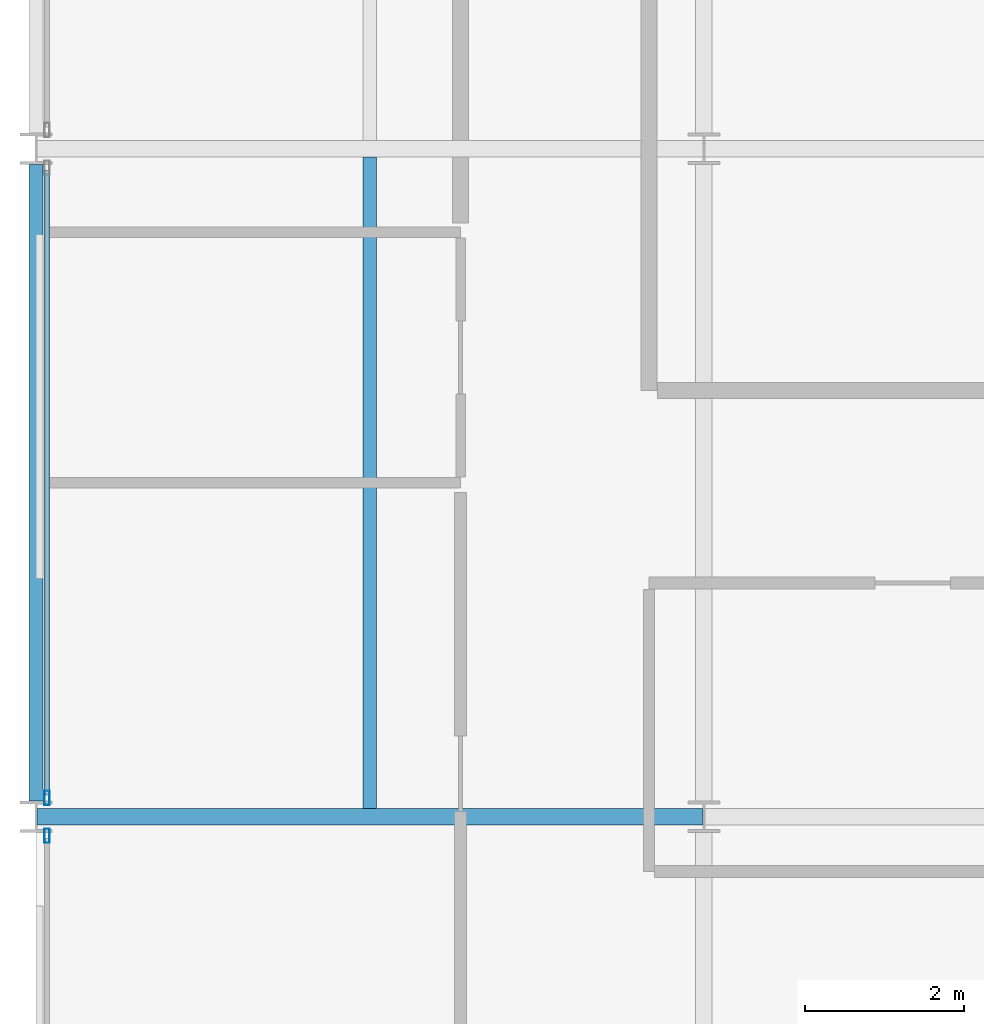
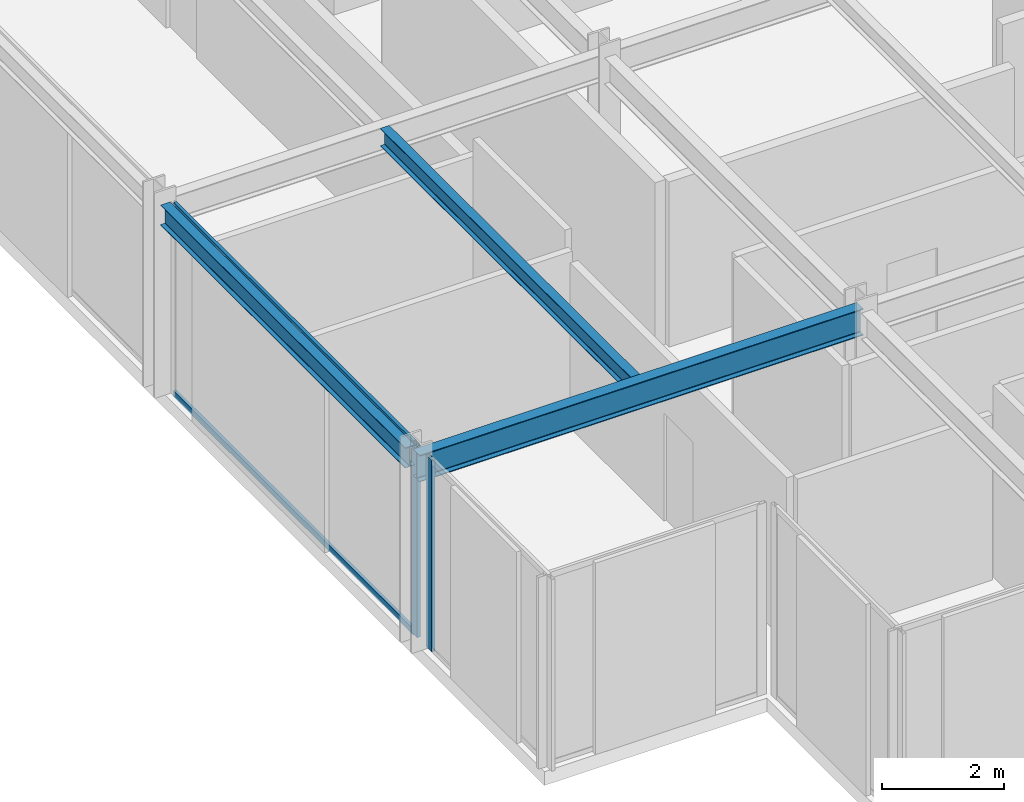
# One storey, part 6 of 38: 4 members, 3 beams, 2 elements without a shape of their own.
"""IFC4 building model written with IfcOpenShell, lengths in metres."""

from ifc_helpers import new_model, si_unit, direction, frame, origin, origin_2d, place, context, subcontext, project, spatial, hollow_rectangle, i_section, extrude, material, layer, layer_set, material_profile, profile_set, type_object, element, aggregate, save


model = new_model("IFC4")

# Units and contexts
model_context = context("Model", 3, precision=1e-05, world=origin(), true_north=direction((0.0, 1.0)))
body_context = subcontext(model_context, "Body", "Model", "MODEL_VIEW")
ifc_project = project(units=[si_unit("LENGTHUNIT", "METRE"), si_unit("AREAUNIT", "SQUARE_METRE"), si_unit("VOLUMEUNIT", "CUBIC_METRE"), si_unit("PLANEANGLEUNIT", "RADIAN"), si_unit("MASSUNIT", "GRAM", prefix="KILO")], contexts=[model_context])

# Site, building, storey
site_placement = place(None, origin())
site = spatial("IfcSite", under=ifc_project, at=site_placement, CompositionType="ELEMENT")
building_placement = place(site_placement, origin())
building = spatial("IfcBuilding", under=site, at=building_placement, Name="Nerrivon Quay Data Exchange", CompositionType="ELEMENT")
storey_placement = place(building_placement, frame((0.0, 0.0, 100.800048828125)))
storey = spatial("IfcBuildingStorey", under=building, at=storey_placement, Name="L23", CompositionType="ELEMENT", Elevation=100.800048828125)

# Beams
ifc_material_1 = material(Name="Steel Grade 350", Category="steel")
ifc_material_profile_1 = material_profile(ifc_material_1, i_section(OverallWidth=0.208984375, OverallDepth=0.532958984375, WebThickness=0.01025390625, FlangeThickness=0.015625, FilletRadius=0.013916015625, at=origin_2d()), Name="530UB92.4")
ifc_profile_set_1 = profile_set([ifc_material_profile_1], Name="Steel Grade 350")
beam_type_1 = type_object("IfcBeamType", Name="BM-G3-530UB92", PredefinedType="BEAM", material=ifc_profile_set_1)
beam_1_placement = place(storey_placement, frame((0.012451171875, 8.39990234375, 3.558349609375), z_axis=(1.0, 0.0, 0.0), x_axis=(0.0, 1.0, 0.0)))
element("IfcBeam", 1, at=beam_1_placement, inside=storey, type_object=beam_type_1, Name="L23 EW Girder Y=8.4 (0.0..8.4)", PredefinedType="BEAM", context=body_context, shape_type="SweptSolid", body=[
    extrude(i_section(OverallWidth=0.208984375, OverallDepth=0.532958984375, WebThickness=0.01025390625, FlangeThickness=0.015625, FilletRadius=0.013916015625, at=origin_2d()), origin(), (0.0, 0.0, 1.0), 8.375),
])
ifc_material_profile_2 = material_profile(ifc_material_1, i_section(OverallWidth=0.1708984375, OverallDepth=0.35595703125, WebThickness=0.00732421875, FlangeThickness=0.011474609375, FilletRadius=0.011474609375, at=origin_2d()), Name="360UB50.7")
ifc_profile_set_2 = profile_set([ifc_material_profile_2], Name="Steel Grade 350")
beam_type_2 = type_object("IfcBeamType", Name="BM-J4-360UB51", PredefinedType="JOIST", material=ifc_profile_set_2)
beam_2_placement = place(storey_placement, frame((4.199951171875, 8.50439453125, 3.64697265625), z_axis=(0.0, 1.0, 0.0), x_axis=(-1.0, 0.0, 0.0)))
element("IfcBeam", 2, at=beam_2_placement, inside=storey, type_object=beam_type_2, Name="L23 Secondary Joist X=4.2 (8.4..16.8)", PredefinedType="JOIST", context=body_context, shape_type="SweptSolid", body=[
    extrude(i_section(OverallWidth=0.1708984375, OverallDepth=0.35595703125, WebThickness=0.00732421875, FlangeThickness=0.011474609375, FilletRadius=0.011474609375, at=origin_2d()), origin(), (0.0, 0.0, 1.0), 8.191162109375),
])
ifc_material_profile_3 = material_profile(ifc_material_1, i_section(OverallWidth=0.177978515625, OverallDepth=0.403076171875, WebThickness=0.007568359375, FlangeThickness=0.010986328125, FilletRadius=0.011474609375, at=origin_2d()), Name="410UB53.7")
ifc_profile_set_3 = profile_set([ifc_material_profile_3], Name="Steel Grade 350")
beam_type_3 = type_object("IfcBeamType", Name="BM-SP2-410UB54", PredefinedType="SPANDREL", material=ifc_profile_set_3)
beam_3_placement = place(storey_placement, frame((0.0, 8.60009765625, 3.62353515625), z_axis=(0.0, 1.0, 0.0), x_axis=(-1.0, 0.0, 0.0)))
element("IfcBeam", 3, at=beam_3_placement, inside=storey, type_object=beam_type_3, Name="L23 NS Girder X=0.0 (8.4..16.8)", PredefinedType="SPANDREL", context=body_context, shape_type="SweptSolid", body=[
    extrude(i_section(OverallWidth=0.177978515625, OverallDepth=0.403076171875, WebThickness=0.007568359375, FlangeThickness=0.010986328125, FilletRadius=0.011474609375, at=origin_2d()), origin(), (0.0, 0.0, 1.0), 8.0),
])

# Curtain wall, member
ifc_material_2 = material(Name="Anodised aluminium 6063-T6", Category="aluminium")
ifc_layer = layer(ifc_material_2, 0.2099609375)
ifc_layer_set = layer_set([ifc_layer], Name="Anodised aluminium 6063-T6")
curtain_wall_type = type_object("IfcCurtainWallType", Name="CW-SYS-02", PredefinedType="NOTDEFINED", material=ifc_layer_set)
curtain_wall_1_placement = place(storey_placement, origin())
curtain_wall_1 = element("IfcCurtainWall", 4, at=curtain_wall_1_placement, inside=storey, type_object=curtain_wall_type, Name="L23 Unitised Curtain Wall 17", PredefinedType="NOTDEFINED")
ifc_material_profile_4 = material_profile(ifc_material_2, hollow_rectangle(XDim=0.06494140625, YDim=0.179931640625, WallThickness=0.00341796875, at=origin_2d()), Name="ALU-MULL-180x65")
ifc_profile_set_4 = profile_set([ifc_material_profile_4], Name="Anodised aluminium 6063-T6")
member_type_1 = type_object("IfcMemberType", Name="CWM-180x65", PredefinedType="MULLION", material=ifc_profile_set_4)
member_1_placement = place(storey_placement, frame((0.139892578125, 8.16259765625, 0.0), z_axis=(0.0, 0.0, 1.0), x_axis=(-1.0, 0.0, 0.0)))
member_1 = element("IfcMember", 5, at=member_1_placement, type_object=member_type_1, Name="CW02 mullion 2", PredefinedType="MULLION", context=body_context, shape_type="SweptSolid", body=[
    extrude(hollow_rectangle(XDim=0.06494140625, YDim=0.179931640625, WallThickness=0.00341796875, at=origin_2d()), origin(), (0.0, 0.0, 1.0), 3.824951171875),
])
aggregate(curtain_wall_1, [member_1])

# Curtain wall, members
curtain_wall_2_placement = place(storey_placement, origin())
curtain_wall_2 = element("IfcCurtainWall", 6, at=curtain_wall_2_placement, inside=storey, type_object=curtain_wall_type, Name="L23 Unitised Curtain Wall 18", PredefinedType="NOTDEFINED")
member_2_placement = place(storey_placement, frame((0.139892578125, 8.637451171875, 0.0), z_axis=(0.0, 0.0, 1.0), x_axis=(-1.0, 0.0, 0.0)))
member_2 = element("IfcMember", 7, at=member_2_placement, type_object=member_type_1, Name="CW02 mullion 1", PredefinedType="MULLION", context=body_context, shape_type="SweptSolid", body=[
    extrude(hollow_rectangle(XDim=0.06494140625, YDim=0.179931640625, WallThickness=0.00341796875, at=origin_2d()), origin(), (0.0, 0.0, 1.0), 3.824951171875),
])
ifc_material_profile_5 = material_profile(ifc_material_2, hollow_rectangle(XDim=0.06005859375, YDim=0.1201171875, WallThickness=0.003173828125, at=origin_2d()), Name="ALU-TRAN-120x60")
ifc_profile_set_5 = profile_set([ifc_material_profile_5], Name="Anodised aluminium 6063-T6")
member_type_2 = type_object("IfcMemberType", Name="CWT-120x60", PredefinedType="USERDEFINED", material=ifc_profile_set_5)
member_3_placement = place(storey_placement, frame((0.139892578125, 8.675048828125, 0.032470703125), z_axis=(0.0, 1.0, 0.0), x_axis=(-1.0, 0.0, 0.0)))
member_3 = element("IfcMember", 8, at=member_3_placement, type_object=member_type_2, Name="CW02 transom 1.1", ObjectType="TRANSOM", PredefinedType="USERDEFINED", context=body_context, shape_type="SweptSolid", body=[
    extrude(hollow_rectangle(XDim=0.06005859375, YDim=0.1201171875, WallThickness=0.003173828125, at=origin_2d()), origin(), (0.0, 0.0, 1.0), 7.849853515625),
])
member_4_placement = place(storey_placement, frame((0.139892578125, 8.675048828125, 3.79248046875), z_axis=(0.0, 1.0, 0.0), x_axis=(-1.0, 0.0, 0.0)))
member_4 = element("IfcMember", 9, at=member_4_placement, type_object=member_type_2, Name="CW02 transom 1.2", ObjectType="TRANSOM", PredefinedType="USERDEFINED", context=body_context, shape_type="SweptSolid", body=[
    extrude(hollow_rectangle(XDim=0.06005859375, YDim=0.1201171875, WallThickness=0.003173828125, at=origin_2d()), origin(), (0.0, 0.0, 1.0), 7.849853515625),
])
aggregate(curtain_wall_2, [member_2, member_3, member_4])

save(model, "model.ifc")
